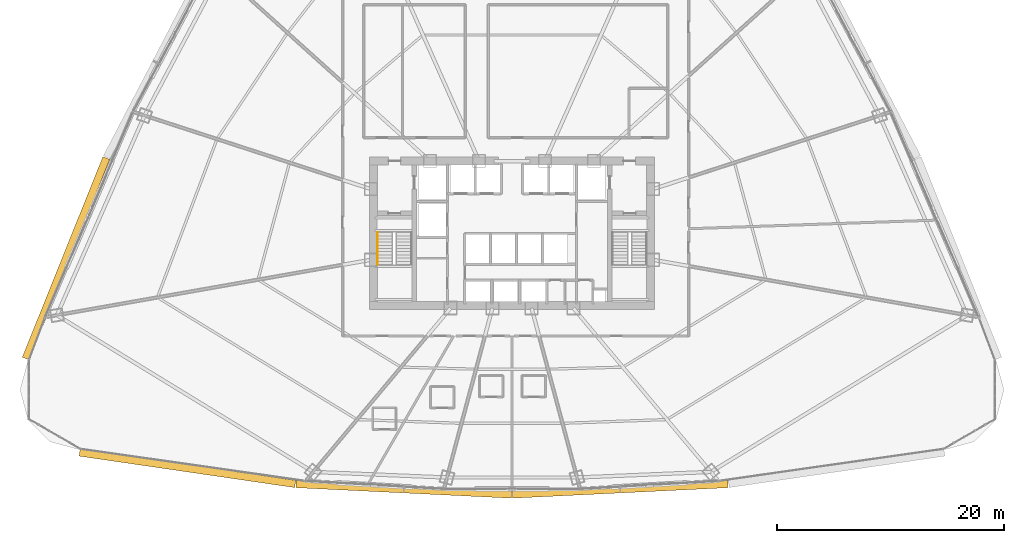
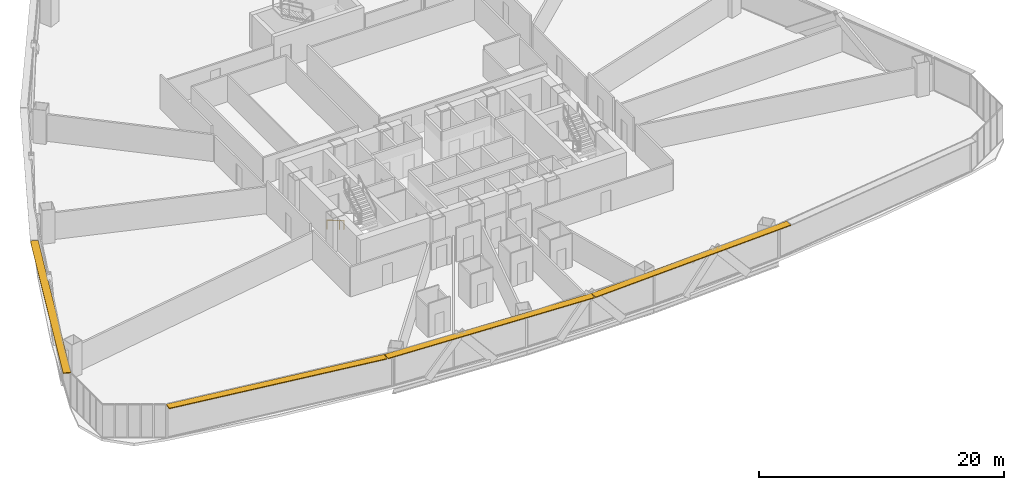
# One storey, part 37 of 40: 4 shading devices, 1 railing.
"""IFC4 building model written with IfcOpenShell, lengths in metres."""

from ifc_helpers import new_model, si_unit, direction, frame, origin, origin_2d, place, context, subcontext, project, spatial, rectangle, extrude, source, transform, mapped, material, layer, layer_set, type_object, element, save


model = new_model("IFC4")

# Units and contexts
model_context = context("Model", 3, precision=1e-05, world=origin(), true_north=direction((0.0, 1.0)))
body_context = subcontext(model_context, "Body", "Model", "MODEL_VIEW")
ifc_project = project(units=[si_unit("LENGTHUNIT", "METRE"), si_unit("AREAUNIT", "SQUARE_METRE"), si_unit("VOLUMEUNIT", "CUBIC_METRE"), si_unit("PLANEANGLEUNIT", "RADIAN"), si_unit("MASSUNIT", "GRAM", prefix="KILO"), si_unit("THERMODYNAMICTEMPERATUREUNIT", "KELVIN"), si_unit("POWERUNIT", "WATT")], contexts=[model_context])

# Site, building, storey
site_placement = place(None, origin())
site = spatial("IfcSite", under=ifc_project, at=site_placement, CompositionType="ELEMENT")
building_placement = place(site_placement, origin())
building = spatial("IfcBuilding", under=site, at=building_placement, Name="Yunzhuo Pagoda Commons", CompositionType="ELEMENT")
storey_placement = place(building_placement, frame((0.0, 0.0, 66.699951171875)))
storey = spatial("IfcBuildingStorey", under=building, at=storey_placement, Name="L17", CompositionType="ELEMENT", Elevation=66.699951171875)

# Railing
ifc_material = material(Name="Anodized aluminium 6063-T6", Category="aluminium")
railing_type = type_object("IfcRailingType", Name="HR-ST1 Stair Handrail 900", PredefinedType="HANDRAIL", material=ifc_material)
railing_placement = place(storey_placement, frame((36.14990234375, 33.89990234375, 0.1650390625)))
element("IfcRailing", 1, at=railing_placement, inside=storey, type_object=railing_type, Name="L17 ST1 stair handrail 1", PredefinedType="HANDRAIL", context=body_context, shape_type="SweptSolid", body=[
    extrude(rectangle(XDim=0.048095703125, YDim=0.048095703125, at=origin_2d()), frame((0.0, 0.0, 0.8759765625), z_axis=(0.0, -0.861536114422, 0.507696290658), x_axis=(1.0, 0.0, 0.0)), (0.0, 0.0, 1.0), 3.249755859375),
    extrude(rectangle(XDim=0.0419921875, YDim=0.0419921875, at=origin_2d()), origin(), (0.0, 0.0, 1.0), 0.851806640625),
    extrude(rectangle(XDim=0.0419921875, YDim=0.0419921875, at=origin_2d()), frame((0.0, -2.067626953125, 1.218505859375)), (0.0, 0.0, 1.0), 0.851806640625),
    extrude(rectangle(XDim=0.0419921875, YDim=0.0419921875, at=origin_2d()), frame((0.0, -2.7998046875, 1.64990234375)), (0.0, 0.0, 1.0), 0.851806640625),
])

# Shading devices
ifc_layer = layer(ifc_material, 0.080078125)
ifc_layer_set = layer_set([ifc_layer], Name="Anodized aluminium 6063-T6")
shading_device_type = type_object("IfcShadingDeviceType", Name="SH-SUN1 Pagoda Horizontal Sunshade Eave 650", PredefinedType="USERDEFINED", material=ifc_layer_set)
shared_shape_1 = source(origin(), body_context, "Body", "SweptSolid", [
    extrude(rectangle(XDim=19.1787109375, YDim=0.64990234375, at=origin_2d()), origin(), (0.0, 0.0, 1.0), 0.080078125),
])
shading_device_1_placement = place(storey_placement, frame((19.439697265625, 13.1708984375, 3.2900390625), z_axis=(0.0, 0.0, 1.0), x_axis=(0.989510666697, -0.144459823108, 0.0)))
element("IfcShadingDevice", 2, at=shading_device_1_placement, inside=storey, type_object=shading_device_type, Name="L17 horizontal pagoda sunshade eave F1.1", ObjectType="SUNSHADE", PredefinedType="USERDEFINED", context=body_context, shape_type="MappedRepresentation", body=[
    mapped(shared_shape_1, transform((0.0, 0.0, 0.0), scale=1.0)),
])
shared_shape_2 = source(origin(), body_context, "Body", "SweptSolid", [
    extrude(rectangle(XDim=18.999755859375, YDim=0.64990234375, at=origin_2d()), origin(), (0.0, 0.0, 1.0), 0.080078125),
])
for number, where, z_axis, x_axis, name in (
    (3, (38.479736328125, 11.31787109375, 3.2900390625), (0.0, 0.0, 1.0), (0.998818043775, -0.04860571396, 0.0), "L17 horizontal pagoda sunshade eave F1.2"),
    (4, (57.520263671875, 11.31787109375, 3.2900390625), (0.0, 0.0, 1.0), (0.998818043775, 0.04860571396, 0.0), "L17 horizontal pagoda sunshade eave F1.3"),
):
    element("IfcShadingDevice", number, at=place(storey_placement, frame(where, z_axis=z_axis, x_axis=x_axis)), inside=storey, type_object=shading_device_type, Name=name, ObjectType="SUNSHADE", PredefinedType="USERDEFINED", context=body_context, shape_type="MappedRepresentation", body=[
        mapped(shared_shape_2, transform((0.0, 0.0, 0.0), scale=1.0)),
    ])
shared_shape_3 = source(origin(), body_context, "Body", "SweptSolid", [
    extrude(rectangle(XDim=19.0244140625, YDim=0.64990234375, at=origin_2d()), origin(), (0.0, 0.0, 1.0), 0.080078125),
])
shading_device_2_placement = place(storey_placement, frame((8.755615234375, 31.642333984375, 3.2900390625), z_axis=(0.0, 0.0, 1.0), x_axis=(-0.372987782576, -0.927836253899, 0.0)))
element("IfcShadingDevice", 5, at=shading_device_2_placement, inside=storey, type_object=shading_device_type, Name="L17 horizontal pagoda sunshade eave F3.4", ObjectType="SUNSHADE", PredefinedType="USERDEFINED", context=body_context, shape_type="MappedRepresentation", body=[
    mapped(shared_shape_3, transform((0.0, 0.0, 0.0), scale=1.0)),
])

save(model, "model.ifc")
